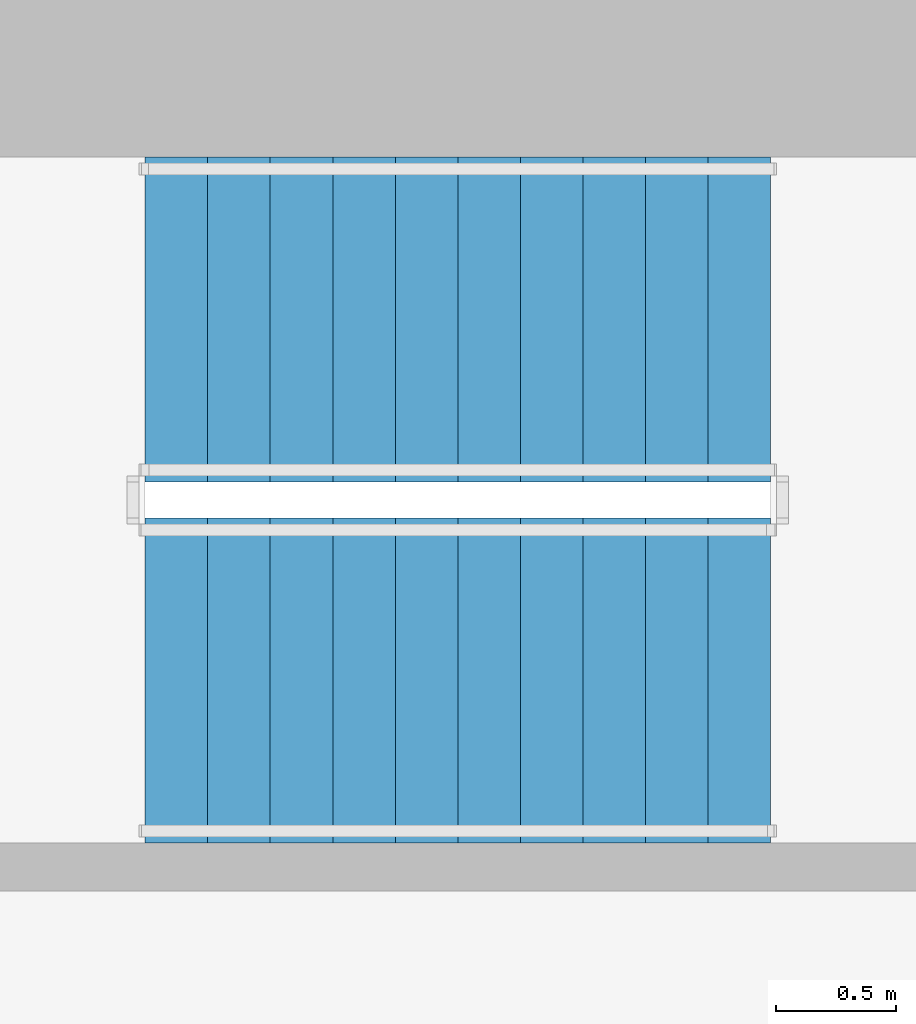
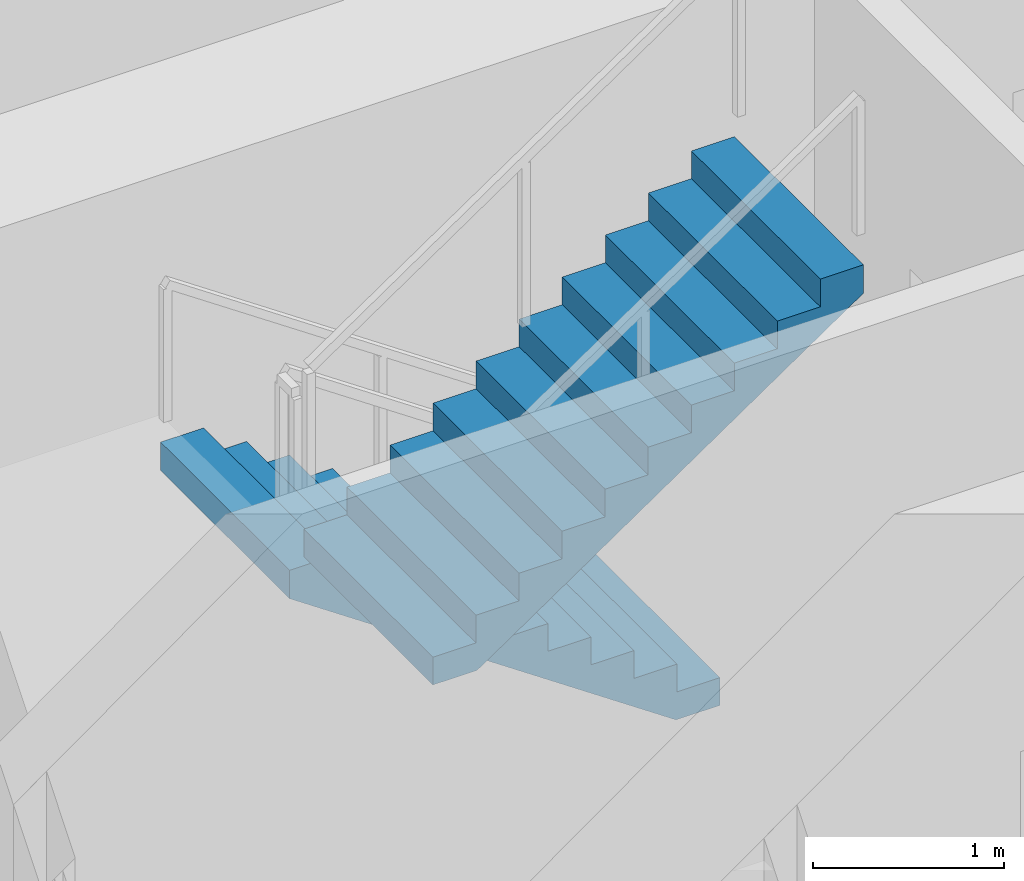
# One storey, part 10 of 15: 2 stair flights, 1 element without a shape of its own.
"""IFC4 building model written with IfcOpenShell, lengths in metres."""

from ifc_helpers import new_model, si_unit, direction, frame, origin, place, context, subcontext, project, spatial, polyline, outline, extrude, material, type_object, element, aggregate, save


model = new_model("IFC4")

# Units and contexts
model_context = context("Model", 3, precision=1e-05, world=origin(), true_north=direction((0.0, 1.0)))
body_context = subcontext(model_context, "Body", "Model", "MODEL_VIEW")
ifc_project = project(units=[si_unit("LENGTHUNIT", "METRE"), si_unit("AREAUNIT", "SQUARE_METRE"), si_unit("VOLUMEUNIT", "CUBIC_METRE"), si_unit("PLANEANGLEUNIT", "RADIAN"), si_unit("MASSUNIT", "GRAM", prefix="KILO")], contexts=[model_context])

# Site, building, storey
site_placement = place(None, origin())
site = spatial("IfcSite", under=ifc_project, at=site_placement, CompositionType="ELEMENT")
building_placement = place(site_placement, origin())
building = spatial("IfcBuilding", under=site, at=building_placement, Name="Khepri Terraces", CompositionType="ELEMENT")
storey_placement = place(building_placement, frame((0.0, 0.0, 260.10009765625)))
storey = spatial("IfcBuildingStorey", under=building, at=storey_placement, Name="L62", CompositionType="ELEMENT", Elevation=260.10009765625)

# Stair, stair flights
ifc_material = material(Name="Concrete C40/50", Category="concrete")
stair_type = type_object("IfcStairType", Name="STAIR-RC-22R", PredefinedType="HALF_TURN_STAIR", material=ifc_material)
stair_placement = place(storey_placement, origin())
stair = element("IfcStair", 1, at=stair_placement, inside=storey, type_object=stair_type, Name="L62 Exit Stair ST-3", PredefinedType="HALF_TURN_STAIR")
stair_flight_type = type_object("IfcStairFlightType", Name="SFL-RC-177.3", PredefinedType="STRAIGHT", material=ifc_material)
stair_flight_1_placement = place(storey_placement, frame((-0.25, 9.425048828125, 0.0), z_axis=(0.0, 0.0, 1.0), x_axis=(-1.0, 0.0, 0.0)))
stair_flight_1 = element("IfcStairFlight", 2, at=stair_flight_1_placement, type_object=stair_flight_type, Name="ST-3 flight 1", NumberOfRisers=11, NumberOfTreads=10, PredefinedType="STRAIGHT", RiserHeight=0.177272727, TreadLength=0.26, context=body_context, shape_type="SweptSolid", body=[
    extrude(outline(polyline([(0.0, 0.0), (0.0, 0.17724609375), (0.260009765625, 0.17724609375), (0.260009765625, 0.3544921875), (0.52001953125, 0.3544921875), (0.52001953125, 0.53173828125), (0.780029296875, 0.53173828125), (0.780029296875, 0.708984375), (1.0400390625, 0.708984375), (1.0400390625, 0.886474609375), (1.300048828125, 0.886474609375), (1.300048828125, 1.063720703125), (1.56005859375, 1.063720703125), (1.56005859375, 1.240966796875), (1.820068359375, 1.240966796875), (1.820068359375, 1.418212890625), (2.080078125, 1.418212890625), (2.080078125, 1.595458984375), (2.340087890625, 1.595458984375), (2.340087890625, 1.772705078125), (2.60009765625, 1.772705078125), (2.60009765625, 1.949951171875), (2.60009765625, 1.59130859375), (0.26611328125, 0.0), (0.0, 0.0)])), frame((0.0, 0.675048828125, 0.0), z_axis=(0.0, -1.0, 0.0), x_axis=(1.0, 0.0, 0.0)), (0.0, 0.0, 1.0), 1.35009765625),
])
stair_flight_2_placement = place(storey_placement, frame((-2.85009765625, 7.925048828125, 1.949951171875), z_axis=(0.0, 0.0, 1.0), x_axis=(1.0, 0.0, 0.0)))
stair_flight_2 = element("IfcStairFlight", 3, at=stair_flight_2_placement, type_object=stair_flight_type, Name="ST-3 flight 2", NumberOfRisers=11, NumberOfTreads=10, PredefinedType="STRAIGHT", RiserHeight=0.177272727, TreadLength=0.26, context=body_context, shape_type="SweptSolid", body=[
    extrude(outline(polyline([(0.0, 0.0), (0.0, 0.17724609375), (0.260009765625, 0.17724609375), (0.260009765625, 0.3544921875), (0.52001953125, 0.3544921875), (0.52001953125, 0.53173828125), (0.780029296875, 0.53173828125), (0.780029296875, 0.708984375), (1.0400390625, 0.708984375), (1.0400390625, 0.886474609375), (1.300048828125, 0.886474609375), (1.300048828125, 1.063720703125), (1.56005859375, 1.063720703125), (1.56005859375, 1.240966796875), (1.820068359375, 1.240966796875), (1.820068359375, 1.418212890625), (2.080078125, 1.418212890625), (2.080078125, 1.595458984375), (2.340087890625, 1.595458984375), (2.340087890625, 1.772705078125), (2.60009765625, 1.772705078125), (2.60009765625, 1.949951171875), (2.60009765625, 1.59130859375), (0.26611328125, 0.0), (0.0, 0.0)])), frame((0.0, 0.675048828125, 0.0), z_axis=(0.0, -1.0, 0.0), x_axis=(1.0, 0.0, 0.0)), (0.0, 0.0, 1.0), 1.35009765625),
])
aggregate(stair, [stair_flight_1, stair_flight_2])

save(model, "model.ifc")
